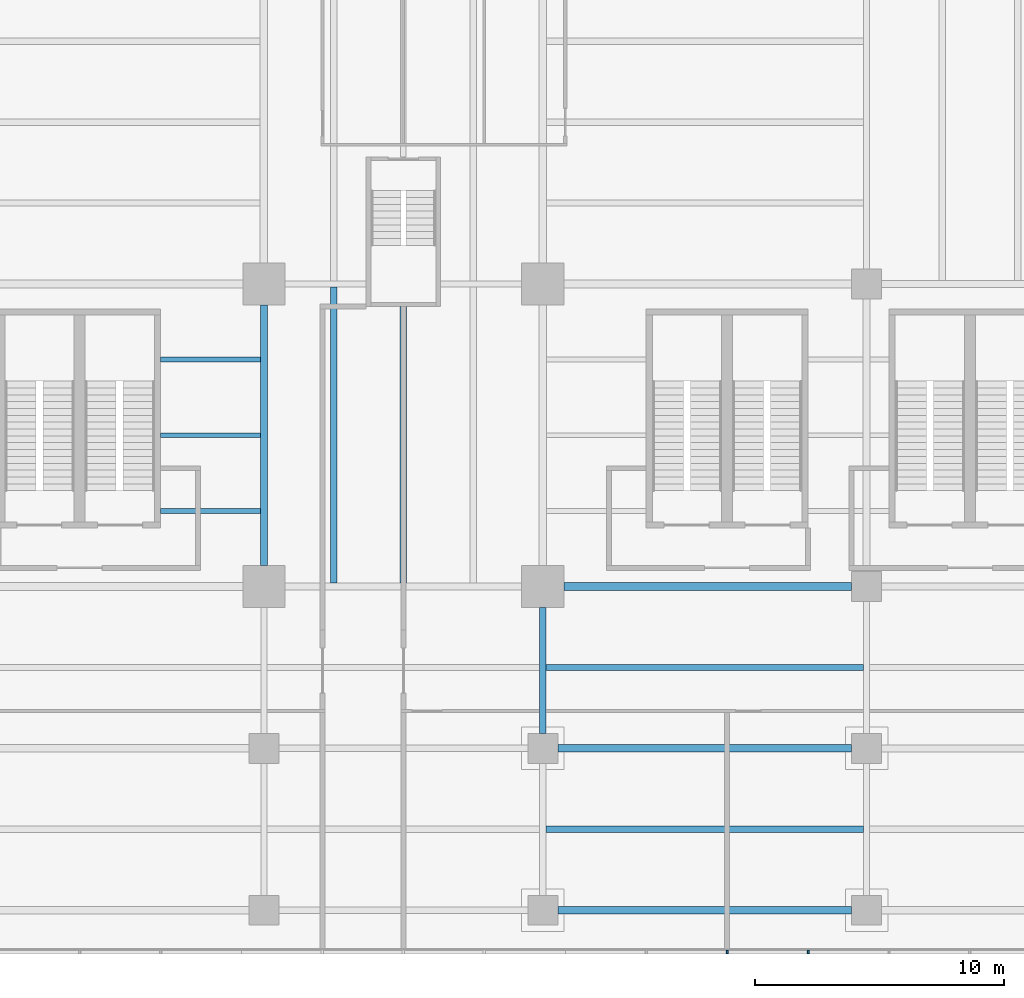
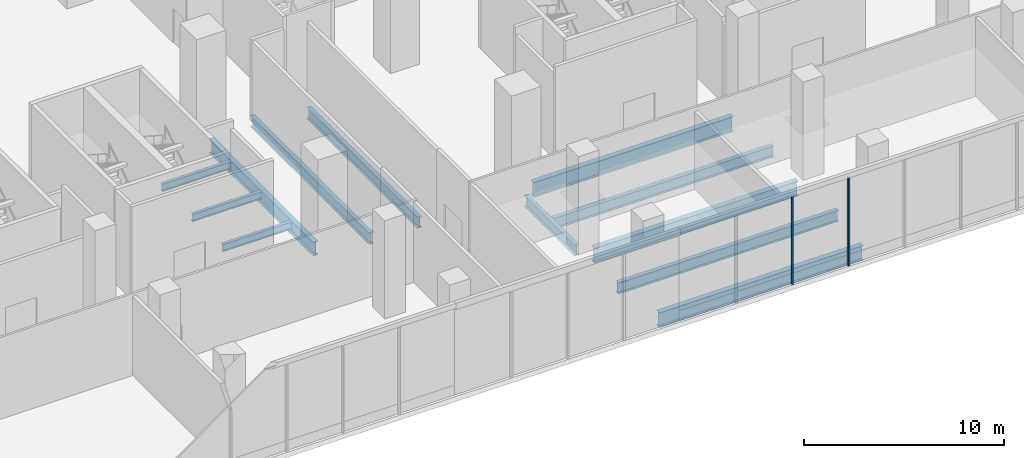
# One storey, part 8 of 41: 12 beams, 2 members, 1 element without a shape of its own.
"""IFC4 building model written with IfcOpenShell, lengths in metres."""

from ifc_helpers import new_model, si_unit, direction, frame, origin, origin_2d, place, context, subcontext, project, spatial, rectangle, i_section, extrude, source, transform, mapped, material, layer, layer_set, material_profile, profile_set, type_object, element, aggregate, save


model = new_model("IFC4")

# Units and contexts
model_context = context("Model", 3, precision=1e-05, world=origin(), true_north=direction((0.0, 1.0)))
body_context = subcontext(model_context, "Body", "Model", "MODEL_VIEW")
ifc_project = project(units=[si_unit("LENGTHUNIT", "METRE"), si_unit("AREAUNIT", "SQUARE_METRE"), si_unit("VOLUMEUNIT", "CUBIC_METRE"), si_unit("PLANEANGLEUNIT", "RADIAN"), si_unit("MASSUNIT", "GRAM", prefix="KILO")], contexts=[model_context])

# Site, building, storey
site_placement = place(None, origin())
site = spatial("IfcSite", under=ifc_project, at=site_placement, CompositionType="ELEMENT")
building_placement = place(site_placement, origin())
building = spatial("IfcBuilding", under=site, at=building_placement, Name="Trellis Farm Tower", CompositionType="ELEMENT")
storey_placement = place(building_placement, frame((0.0, 0.0, 8.0)))
storey = spatial("IfcBuildingStorey", under=building, at=storey_placement, Name="L01", CompositionType="ELEMENT", Elevation=8.0)

# Beams
ifc_material_1 = material(Name="Steel S355", Category="steel")
ifc_material_profile_1 = material_profile(ifc_material_1, i_section(OverallWidth=0.305419921875, OverallDepth=0.91845703125, WebThickness=0.017333984375, FlangeThickness=0.02783203125, FilletRadius=0.01904296875, at=origin_2d()), Name="UB 914x305x253")
ifc_profile_set_1 = profile_set([ifc_material_profile_1], Name="Steel S355")
beam_type_1 = type_object("IfcBeamType", Name="UB 914x305x253", PredefinedType="BEAM", material=ifc_profile_set_1)
shared_shape_1 = source(origin(), body_context, "Body", "SweptSolid", [
    extrude(i_section(OverallWidth=0.305419921875, OverallDepth=0.91845703125, WebThickness=0.017333984375, FlangeThickness=0.02783203125, FilletRadius=0.01904296875, at=origin_2d()), origin(), (0.0, 0.0, 1.0), 11.800048828125),
])
for number, where, z_axis, x_axis, name in (
    (1, (6.199951171875, -43.75, -0.75927734375), (1.0, 0.0, 0.0), (0.0, 1.0, 0.0), "Girder"),
    (2, (6.199951171875, -37.25, -0.75927734375), (1.0, 0.0, 0.0), (0.0, 1.0, 0.0), "Girder"),
):
    element("IfcBeam", number, at=place(storey_placement, frame(where, z_axis=z_axis, x_axis=x_axis)), inside=storey, type_object=beam_type_1, Name=name, PredefinedType="BEAM", context=body_context, shape_type="MappedRepresentation", body=[
        mapped(shared_shape_1, transform((0.0, 0.0, 0.0))),
    ])
shared_shape_2 = source(origin(), body_context, "Body", "SweptSolid", [
    extrude(i_section(OverallWidth=0.305419921875, OverallDepth=0.91845703125, WebThickness=0.017333984375, FlangeThickness=0.02783203125, FilletRadius=0.01904296875, at=origin_2d()), origin(), (0.0, 0.0, 1.0), 11.550048828125),
])
beam_1_placement = place(storey_placement, frame((6.449951171875, -30.75, -0.75927734375), z_axis=(1.0, 0.0, 0.0), x_axis=(0.0, 1.0, 0.0)))
element("IfcBeam", 3, at=beam_1_placement, inside=storey, type_object=beam_type_1, Name="Girder", PredefinedType="BEAM", context=body_context, shape_type="MappedRepresentation", body=[
    mapped(shared_shape_2, transform((0.0, 0.0, 0.0))),
])
ifc_material_profile_2 = material_profile(ifc_material_1, i_section(OverallWidth=0.253662109375, OverallDepth=0.68359375, WebThickness=0.012451171875, FlangeThickness=0.021728515625, FilletRadius=0.01513671875, at=origin_2d()), Name="UB 686x254x140")
ifc_profile_set_2 = profile_set([ifc_material_profile_2], Name="Steel S355")
beam_type_2 = type_object("IfcBeamType", Name="UB 686x254x140", PredefinedType="BEAM", material=ifc_profile_set_2)
shared_shape_3 = source(origin(), body_context, "Body", "SweptSolid", [
    extrude(i_section(OverallWidth=0.253662109375, OverallDepth=0.68359375, WebThickness=0.012451171875, FlangeThickness=0.021728515625, FilletRadius=0.01513671875, at=origin_2d()), origin(), (0.0, 0.0, 1.0), 5.0498046875),
])
beam_2_placement = place(storey_placement, frame((5.60009765625, -36.64990234375, -0.641845703125), z_axis=(0.0, 1.0, 0.0), x_axis=(-1.0, 0.0, 0.0)))
element("IfcBeam", 4, at=beam_2_placement, inside=storey, type_object=beam_type_2, Name="Girder", PredefinedType="BEAM", context=body_context, shape_type="MappedRepresentation", body=[
    mapped(shared_shape_3, transform((0.0, 0.0, 0.0))),
])
ifc_material_profile_3 = material_profile(ifc_material_1, i_section(OverallWidth=0.29248046875, OverallDepth=0.8408203125, WebThickness=0.0146484375, FlangeThickness=0.021728515625, FilletRadius=0.017822265625, at=origin_2d()), Name="UB 838x292x194")
ifc_profile_set_3 = profile_set([ifc_material_profile_3], Name="Steel S355")
beam_type_3 = type_object("IfcBeamType", Name="UB 838x292x194", PredefinedType="BEAM", material=ifc_profile_set_3)
shared_shape_4 = source(origin(), body_context, "Body", "SweptSolid", [
    extrude(i_section(OverallWidth=0.29248046875, OverallDepth=0.8408203125, WebThickness=0.0146484375, FlangeThickness=0.021728515625, FilletRadius=0.017822265625, at=origin_2d()), origin(), (0.0, 0.0, 1.0), 10.449951171875),
])
beam_3_placement = place(storey_placement, frame((-5.60009765625, -29.89990234375, -0.72021484375), z_axis=(0.0, 1.0, 0.0), x_axis=(-1.0, 0.0, 0.0)))
element("IfcBeam", 5, at=beam_3_placement, inside=storey, type_object=beam_type_3, Name="Girder", PredefinedType="BEAM", context=body_context, shape_type="MappedRepresentation", body=[
    mapped(shared_shape_4, transform((0.0, 0.0, 0.0))),
])
ifc_material_profile_4 = material_profile(ifc_material_1, i_section(OverallWidth=0.253662109375, OverallDepth=0.68359375, WebThickness=0.012451171875, FlangeThickness=0.021728515625, FilletRadius=0.01513671875, at=origin_2d()), Name="UB 686x254x140")
ifc_profile_set_4 = profile_set([ifc_material_profile_4], Name="Steel S355")
beam_type_4 = type_object("IfcBeamType", Name="UB 686x254x140 joist", PredefinedType="JOIST", material=ifc_profile_set_4)
shared_shape_5 = source(origin(), body_context, "Body", "SweptSolid", [
    extrude(i_section(OverallWidth=0.253662109375, OverallDepth=0.68359375, WebThickness=0.012451171875, FlangeThickness=0.021728515625, FilletRadius=0.01513671875, at=origin_2d()), origin(), (0.0, 0.0, 1.0), 12.746337890625),
])
for number, where, z_axis, x_axis, name in (
    (6, (5.726806640625, -40.5, -0.641845703125), (1.0, 0.0, 0.0), (0.0, 1.0, 0.0), "Floor beam"),
    (7, (5.726806640625, -34.0, -0.641845703125), (1.0, 0.0, 0.0), (0.0, 1.0, 0.0), "Floor beam"),
):
    element("IfcBeam", number, at=place(storey_placement, frame(where, z_axis=z_axis, x_axis=x_axis)), inside=storey, type_object=beam_type_4, Name=name, PredefinedType="JOIST", context=body_context, shape_type="MappedRepresentation", body=[
        mapped(shared_shape_5, transform((0.0, 0.0, 0.0))),
    ])
ifc_material_profile_5 = material_profile(ifc_material_1, i_section(OverallWidth=0.1904296875, OverallDepth=0.45703125, WebThickness=0.009033203125, FlangeThickness=0.014404296875, FilletRadius=0.01025390625, at=origin_2d()), Name="UB 457x191x74")
ifc_profile_set_5 = profile_set([ifc_material_profile_5], Name="Steel S355")
beam_type_5 = type_object("IfcBeamType", Name="UB 457x191x74 joist", PredefinedType="JOIST", material=ifc_profile_set_5)
shared_shape_6 = source(origin(), body_context, "Body", "SweptSolid", [
    extrude(i_section(OverallWidth=0.1904296875, OverallDepth=0.45703125, WebThickness=0.009033203125, FlangeThickness=0.014404296875, FilletRadius=0.01025390625, at=origin_2d()), origin(), (0.0, 0.0, 1.0), 4.00390625),
])
for number, where, z_axis, x_axis, name in (
    (8, (-9.75, -27.71240234375, -0.528564453125), (1.0, 0.0, 0.0), (0.0, 1.0, 0.0), "Floor beam"),
    (9, (-9.75, -24.675048828125, -0.528564453125), (1.0, 0.0, 0.0), (0.0, 1.0, 0.0), "Floor beam"),
    (10, (-9.75, -21.637451171875, -0.528564453125), (1.0, 0.0, 0.0), (0.0, 1.0, 0.0), "Floor beam"),
):
    element("IfcBeam", number, at=place(storey_placement, frame(where, z_axis=z_axis, x_axis=x_axis)), inside=storey, type_object=beam_type_5, Name=name, PredefinedType="JOIST", context=body_context, shape_type="MappedRepresentation", body=[
        mapped(shared_shape_6, transform((0.0, 0.0, 0.0))),
    ])
shared_shape_7 = source(origin(), body_context, "Body", "SweptSolid", [
    extrude(i_section(OverallWidth=0.253662109375, OverallDepth=0.68359375, WebThickness=0.012451171875, FlangeThickness=0.021728515625, FilletRadius=0.01513671875, at=origin_2d()), origin(), (0.0, 0.0, 1.0), 11.902099609375),
])
beam_4_placement = place(storey_placement, frame((-2.800048828125, -30.61669921875, -0.641845703125), z_axis=(0.0, 1.0, 0.0), x_axis=(-1.0, 0.0, 0.0)))
element("IfcBeam", 11, at=beam_4_placement, inside=storey, type_object=beam_type_4, Name="Floor beam", PredefinedType="JOIST", context=body_context, shape_type="MappedRepresentation", body=[
    mapped(shared_shape_7, transform((0.0, 0.0, 0.0))),
])
shared_shape_8 = source(origin(), body_context, "Body", "SweptSolid", [
    extrude(i_section(OverallWidth=0.253662109375, OverallDepth=0.68359375, WebThickness=0.012451171875, FlangeThickness=0.021728515625, FilletRadius=0.01513671875, at=origin_2d()), origin(), (0.0, 0.0, 1.0), 11.11669921875),
])
beam_5_placement = place(storey_placement, frame((0.0, -30.61669921875, -0.641845703125), z_axis=(0.0, 1.0, 0.0), x_axis=(-1.0, 0.0, 0.0)))
element("IfcBeam", 12, at=beam_5_placement, inside=storey, type_object=beam_type_4, Name="Floor beam", PredefinedType="JOIST", context=body_context, shape_type="MappedRepresentation", body=[
    mapped(shared_shape_8, transform((0.0, 0.0, 0.0))),
])

# Curtain wall, members
ifc_material_2 = material(Name="Aluminium and glass curtain wall", Category="aluminium")
ifc_layer = layer(ifc_material_2, 0.201904296875)
ifc_layer_set = layer_set([ifc_layer], Name="SHOPFRONT CURTAIN WALL CW2")
curtain_wall_type = type_object("IfcCurtainWallType", Name="SHOPFRONT CURTAIN WALL CW2", PredefinedType="NOTDEFINED", material=ifc_layer_set)
curtain_wall_placement = place(storey_placement, origin())
curtain_wall = element("IfcCurtainWall", 13, at=curtain_wall_placement, inside=storey, type_object=curtain_wall_type, Name="CW2 008", PredefinedType="NOTDEFINED")
ifc_material_3 = material(Name="Aluminium extrusion 6063-T6", Category="aluminium")
ifc_material_profile_6 = material_profile(ifc_material_3, rectangle(XDim=0.080078125, YDim=0.14990234375, at=origin_2d()), Name="MULLION 80x150")
ifc_profile_set_6 = profile_set([ifc_material_profile_6], Name="Aluminium extrusion 6063-T6")
member_type = type_object("IfcMemberType", Name="CW2 MULLION 80x150", PredefinedType="MULLION", material=ifc_profile_set_6)
shared_shape_9 = source(origin(), body_context, "Body", "SweptSolid", [
    extrude(rectangle(XDim=0.080078125, YDim=0.14990234375, at=origin_2d()), origin(), (0.0, 0.0, 1.0), 5.39990234375),
])
member_1_placement = place(storey_placement, frame((13.0, -45.425048828125, 0.0), z_axis=(0.0, 0.0, 1.0), x_axis=(1.0, 0.0, 0.0)))
member_1 = element("IfcMember", 14, at=member_1_placement, type_object=member_type, Name="MU2 008-02", PredefinedType="MULLION", context=body_context, shape_type="MappedRepresentation", body=[
    mapped(shared_shape_9, transform((0.0, 0.0, 0.0))),
])
member_2_placement = place(storey_placement, frame((16.25, -45.425048828125, 0.0), z_axis=(0.0, 0.0, 1.0), x_axis=(1.0, 0.0, 0.0)))
member_2 = element("IfcMember", 15, at=member_2_placement, type_object=member_type, Name="MU2 008-03", PredefinedType="MULLION", context=body_context, shape_type="MappedRepresentation", body=[
    mapped(shared_shape_9, transform((0.0, 0.0, 0.0))),
])
aggregate(curtain_wall, [member_1, member_2])

save(model, "model.ifc")
